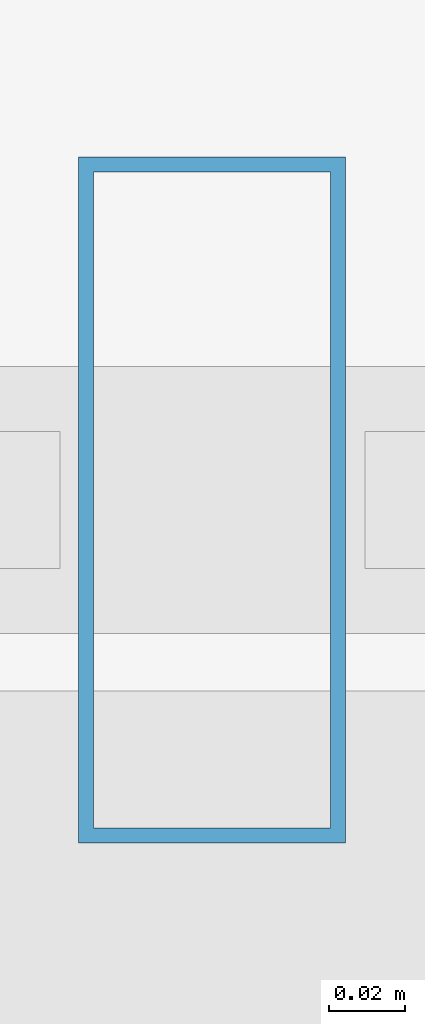
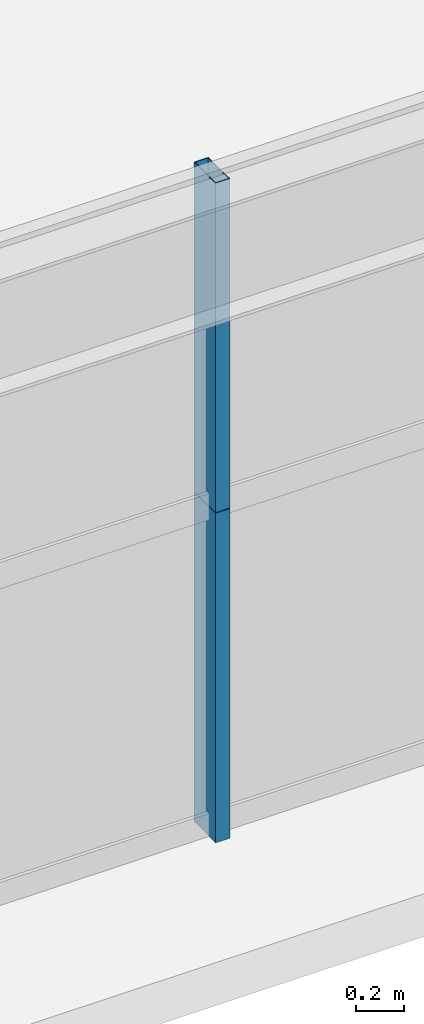
# One storey, part 5 of 43: 2 members, 1 element without a shape of its own.
"""IFC4 building model written with IfcOpenShell, lengths in metres."""

import ifcopenshell
import ifcopenshell.guid

model = None  # the IFC model being written
_history = None  # IfcOwnerHistory: only IFC2X3 demands one
_inside = {}  # id of a spatial element -> (the spatial element, [elements in it])
_under = {}  # id of a project, library or spatial element -> (it, [spatial elements below it])
_declared = {}  # id of a project -> (the project, [libraries it declares])
_typed = {}  # id of a type object -> (the type object, [elements of that type])
_made_of = {}  # id of a material, layer set ... -> (it, [elements and type objects made of it])


def new_model(schema):
    """Start an empty IFC model of exactly this schema.

    Asked for "IFC4X3", IfcOpenShell would pick the latest addendum, in which some entities
    have other attributes; the version numbers below select the first issue.
    IFC2X3 requires an IfcOwnerHistory on every rooted entity: one is made here for all.
    """
    global model, _history
    if schema == "IFC4X3":
        model = ifcopenshell.file(schema_version=(4, 3, 0, 0))
    else:
        model = ifcopenshell.file(schema=schema)
    _inside.clear()
    _under.clear()
    _declared.clear()
    _typed.clear()
    _made_of.clear()
    _history = None
    if model.schema == "IFC2X3":
        org = make("IfcOrganization", Name="unknown")
        user = make(
            "IfcPersonAndOrganization",
            ThePerson=make("IfcPerson", FamilyName="unknown"),
            TheOrganization=org,
        )
        app = make(
            "IfcApplication",
            ApplicationDeveloper=org,
            Version="unknown",
            ApplicationFullName="unknown",
            ApplicationIdentifier="unknown",
        )
        _history = make(
            "IfcOwnerHistory",
            OwningUser=user,
            OwningApplication=app,
            ChangeAction="ADDED",
            CreationDate=0,
        )
    return model


def make(cls, **values):
    """One entity of the class cls with the attributes given. An attribute that is None is left unset."""
    return model.create_entity(
        cls, **{name: value for name, value in values.items() if value is not None}
    )


def rooted(cls, **values):
    """An entity with a GlobalId (a new one), such as an element, a storey or a relation."""
    return make(cls, GlobalId=ifcopenshell.guid.new(), OwnerHistory=_history, **values)


def si_unit(unit_type, name, prefix=None):
    """IfcSIUnit, for example si_unit("LENGTHUNIT", "METRE", prefix="MILLI")."""
    return make("IfcSIUnit", UnitType=unit_type, Prefix=prefix, Name=name)


def assignment(units):
    """IfcUnitAssignment: the units of a project."""
    return None if units is None else make("IfcUnitAssignment", Units=units)


def point(xyz):
    """IfcCartesianPoint."""
    return None if xyz is None else make("IfcCartesianPoint", Coordinates=xyz)


def direction(xyz):
    """IfcDirection."""
    return None if xyz is None else make("IfcDirection", DirectionRatios=xyz)


def frame(location, z_axis=None, x_axis=None):
    """IfcAxis2Placement3D, a coordinate frame: its origin and axes. An axis left out is left unset."""
    return make(
        "IfcAxis2Placement3D",
        Location=point(location),
        Axis=direction(z_axis),
        RefDirection=direction(x_axis),
    )


def frame_2d(location, x_axis=None):
    """IfcAxis2Placement2D, a coordinate frame in the plane: its origin and x axis."""
    return make(
        "IfcAxis2Placement2D", Location=point(location), RefDirection=direction(x_axis)
    )


def origin():
    """The frame at (0, 0, 0) with its axes left unset."""
    return frame((0.0, 0.0, 0.0))


def origin_2d():
    """The frame at (0, 0) in the plane with its x axis left unset."""
    return frame_2d((0.0, 0.0))


def place(relative_to, where):
    """IfcLocalPlacement: puts the frame where relative to a parent placement (None: the world)."""
    return make(
        "IfcLocalPlacement", PlacementRelTo=relative_to, RelativePlacement=where
    )


def context(
    kind, dimensions, precision=None, world=None, true_north=None, identifier=None
):
    """IfcGeometricRepresentationContext, for example the 3D "Model" context."""
    return make(
        "IfcGeometricRepresentationContext",
        ContextIdentifier=identifier,
        ContextType=kind,
        CoordinateSpaceDimension=dimensions,
        Precision=precision,
        WorldCoordinateSystem=world,
        TrueNorth=true_north,
    )


def subcontext(parent, identifier, kind, view, scale=None):
    """IfcGeometricRepresentationSubContext, for example "Body" below "Model"."""
    return make(
        "IfcGeometricRepresentationSubContext",
        ContextIdentifier=identifier,
        ContextType=kind,
        ParentContext=parent,
        TargetScale=scale,
        TargetView=view,
    )


def project(units=None, contexts=None):
    """IfcProject with its units and contexts."""
    return rooted(
        "IfcProject",
        Name="project",
        RepresentationContexts=contexts,
        UnitsInContext=assignment(units),
    )


def spatial(cls, under=None, at=None, **own):
    """A site, building, storey or space (cls), placed at a placement, below another one or the project."""
    s = rooted(cls, ObjectPlacement=at, **own)
    if under is not None:
        _under.setdefault(under.id(), (under, []))[1].append(s)
    return s


def profile(cls, at=None, kind="AREA", **sizes):
    """A parametric profile (cls). Its sizes go by their IFC names, for example OverallWidth=200.0."""
    return make(cls, ProfileType=kind, Position=at, **sizes)


def hollow_rectangle(**sizes):
    """IfcRectangleHollowProfileDef."""
    return profile("IfcRectangleHollowProfileDef", **sizes)


def extrude(swept, where, along, depth):
    """IfcExtrudedAreaSolid: the profile swept, set in the frame where, extruded along a direction by depth."""
    return make(
        "IfcExtrudedAreaSolid",
        SweptArea=swept,
        Position=where,
        ExtrudedDirection=direction(along),
        Depth=depth,
    )


def shape(context_of_items, identifier, shape_type, items):
    """IfcShapeRepresentation: the items that make up one representation, for example the "Body"."""
    return make(
        "IfcShapeRepresentation",
        ContextOfItems=context_of_items,
        RepresentationIdentifier=identifier,
        RepresentationType=shape_type,
        Items=items,
    )


def source(mapping_origin, context_of_items, identifier, shape_type, items):
    """IfcRepresentationMap: a shape defined once, which mapped items show again and again."""
    return make(
        "IfcRepresentationMap",
        MappingOrigin=mapping_origin,
        MappedRepresentation=shape(context_of_items, identifier, shape_type, items),
    )


def transform(
    local_origin,
    x_axis=None,
    y_axis=None,
    z_axis=None,
    scale=None,
    scale2=None,
    scale3=None,
    uniform=True,
):
    """IfcCartesianTransformationOperator3D, or its non-uniform kind. x_axis, y_axis, z_axis: its Axis1, 2, 3."""
    if uniform:
        return make(
            "IfcCartesianTransformationOperator3D",
            Axis1=direction(x_axis),
            Axis2=direction(y_axis),
            LocalOrigin=point(local_origin),
            Scale=scale,
            Axis3=direction(z_axis),
        )
    return make(
        "IfcCartesianTransformationOperator3DnonUniform",
        Axis1=direction(x_axis),
        Axis2=direction(y_axis),
        LocalOrigin=point(local_origin),
        Scale=scale,
        Axis3=direction(z_axis),
        Scale2=scale2,
        Scale3=scale3,
    )


def mapped(mapping_source, mapping_target):
    """IfcMappedItem: shows the shape of a source again, moved by a transform."""
    return make(
        "IfcMappedItem", MappingSource=mapping_source, MappingTarget=mapping_target
    )


def material(Name=None, Category=None):
    """IfcMaterial."""
    return make("IfcMaterial", Name=Name, Category=Category)


def layer(
    of_material, thickness, ventilated=None, Name=None, Category=None, Priority=None
):
    """IfcMaterialLayer: one layer of a wall or slab, of a material (None: an air gap)."""
    return make(
        "IfcMaterialLayer",
        Material=of_material,
        LayerThickness=thickness,
        IsVentilated=ventilated,
        Name=Name,
        Category=Category,
        Priority=Priority,
    )


def layer_set(layers, Name=None):
    """IfcMaterialLayerSet."""
    return make("IfcMaterialLayerSet", MaterialLayers=layers, LayerSetName=Name)


def material_profile(
    of_material, cross_section, Name=None, Category=None, Priority=None
):
    """IfcMaterialProfile: a cross section and its material."""
    return make(
        "IfcMaterialProfile",
        Name=Name,
        Material=of_material,
        Profile=cross_section,
        Priority=Priority,
        Category=Category,
    )


def profile_set(profiles, Name=None, composite=None):
    """IfcMaterialProfileSet."""
    return make(
        "IfcMaterialProfileSet",
        Name=Name,
        MaterialProfiles=profiles,
        CompositeProfile=composite,
    )


def made_of(thing, what):
    """Note that an element or type object is made of a material, layer set ...; save() writes the relation."""
    if what is not None:
        _made_of.setdefault(what.id(), (what, []))[1].append(thing)
    return thing


def type_object(cls, material=None, **own):
    """A type object (cls), such as IfcWallType, which elements share."""
    return made_of(rooted(cls, **own), material)


def element(
    cls,
    number,
    at=None,
    inside=None,
    cuts=None,
    type_object=None,
    material=None,
    context=None,
    identifier="Body",
    shape_type=None,
    held_by="IfcProductDefinitionShape",
    body=None,
    shapes=None,
    **own,
):
    """One element of the class cls, such as IfcWall. Its Tag is "e" and its number.

    at: its placement. inside: the storey or other place that contains it. cuts: it is an
    opening in that element (IfcRelVoidsElement). A single representation is given by context,
    identifier, shape_type and body (its items); several are given by shapes. held_by: the class
    of the entity that holds the representations. save() writes the other relations.
    """
    e = rooted(cls, Tag="e%d" % number, ObjectPlacement=at, **own)
    if body is not None:
        shapes = [shape(context, identifier, shape_type, body)]
    if shapes is not None:
        e.Representation = make(held_by, Representations=shapes)
    if inside is not None:
        _inside.setdefault(inside.id(), (inside, []))[1].append(e)
    if cuts is not None:
        rooted(
            "IfcRelVoidsElement", RelatingBuildingElement=cuts, RelatedOpeningElement=e
        )
    if type_object is not None:
        _typed.setdefault(type_object.id(), (type_object, []))[1].append(e)
    return made_of(e, material)


def aggregate(whole, parts):
    """IfcRelAggregates: a whole, such as a stair, and the parts it consists of."""
    return rooted("IfcRelAggregates", RelatingObject=whole, RelatedObjects=parts)


def save(model, path):
    """Write the relations noted so far, then the file.

    IfcRelAggregates (storeys below a building ...), IfcRelContainedInSpatialStructure (elements
    in a storey), IfcRelDefinesByType, IfcRelAssociatesMaterial and IfcRelDeclares: one each for
    every whole, place, type object, material and project.
    """
    for whole, parts in _under.values():
        aggregate(whole, parts)
    for where, things in _inside.values():
        rooted(
            "IfcRelContainedInSpatialStructure",
            RelatedElements=things,
            RelatingStructure=where,
        )
    for kind, things in _typed.values():
        rooted("IfcRelDefinesByType", RelatedObjects=things, RelatingType=kind)
    for what, things in _made_of.values():
        rooted("IfcRelAssociatesMaterial", RelatedObjects=things, RelatingMaterial=what)
    for by, libraries in _declared.values():
        rooted("IfcRelDeclares", RelatingContext=by, RelatedDefinitions=libraries)
    model.write(path)


model = new_model("IFC4")

# Units and contexts
model_context = context("Model", 3, precision=1e-05, world=origin(), true_north=direction((0.0, 1.0)))
body_context = subcontext(model_context, "Body", "Model", "MODEL_VIEW")
ifc_project = project(units=[si_unit("LENGTHUNIT", "METRE"), si_unit("AREAUNIT", "SQUARE_METRE"), si_unit("VOLUMEUNIT", "CUBIC_METRE"), si_unit("PLANEANGLEUNIT", "RADIAN"), si_unit("MASSUNIT", "GRAM", prefix="KILO"), si_unit("THERMODYNAMICTEMPERATUREUNIT", "KELVIN"), si_unit("POWERUNIT", "WATT")], contexts=[model_context])

# Site, building, storey
site_placement = place(None, origin())
site = spatial("IfcSite", under=ifc_project, at=site_placement, CompositionType="ELEMENT")
building_placement = place(site_placement, origin())
building = spatial("IfcBuilding", under=site, at=building_placement, Name="Yuzanri Waterfront Tower", CompositionType="ELEMENT")
storey_placement = place(building_placement, frame((0.0, 0.0, 53.199951171875)))
storey = spatial("IfcBuildingStorey", under=building, at=storey_placement, Name="L13", CompositionType="ELEMENT", Elevation=53.199951171875)

# Curtain wall, members
ifc_material_1 = material(Name="Anodized Architectural Bronze", Category="metal")
ifc_layer = layer(ifc_material_1, 0.159912109375)
ifc_layer_set = layer_set([ifc_layer], Name="Anodized Architectural Bronze")
curtain_wall_type = type_object("IfcCurtainWallType", Name="Anodized Bronze Hotel Lower-Tier Recessed Unitized Curtain Wall 8100", PredefinedType="NOTDEFINED", material=ifc_layer_set)
curtain_wall_placement = place(storey_placement, origin())
curtain_wall = element("IfcCurtainWall", 1, at=curtain_wall_placement, inside=storey, type_object=curtain_wall_type, Name="L13 Curtain Wall CW-L13-SL", PredefinedType="NOTDEFINED")
ifc_material_2 = material(Name="Anodized Architectural Bronze", Category="metal")
ifc_material_profile = material_profile(ifc_material_2, hollow_rectangle(XDim=0.070068359375, YDim=0.179931640625, WallThickness=0.00390625, at=origin_2d()), Name="CWM 70x180")
ifc_profile_set = profile_set([ifc_material_profile], Name="Anodized Architectural Bronze")
member_type = type_object("IfcMemberType", Name="Anodized Bronze Standard Curtain-Wall Mullion 70x180", PredefinedType="MULLION", material=ifc_profile_set)
shared_shape = source(origin(), body_context, "Body", "SweptSolid", [
    extrude(hollow_rectangle(XDim=0.070068359375, YDim=0.179931640625, WallThickness=0.00390625, at=origin_2d()), origin(), (0.0, 0.0, 1.0), 1.68798828125),
])
member_1_placement = place(storey_placement, frame((27.89990234375, 0.85009765625, 0.0), z_axis=(0.0, 0.0, 1.0), x_axis=(1.0, 0.0, 0.0)))
member_1 = element("IfcMember", 2, at=member_1_placement, type_object=member_type, Name="CW-L13-SL Lower Mullion 01", PredefinedType="MULLION", context=body_context, shape_type="MappedRepresentation", body=[
    mapped(shared_shape, transform((0.0, 0.0, 0.0), scale=1.0)),
])
member_2_placement = place(storey_placement, frame((27.89990234375, 0.85009765625, 1.692138671875), z_axis=(0.0, 0.0, 1.0), x_axis=(1.0, 0.0, 0.0)))
member_2 = element("IfcMember", 3, at=member_2_placement, type_object=member_type, Name="CW-L13-SL Upper Mullion 01", PredefinedType="MULLION", context=body_context, shape_type="MappedRepresentation", body=[
    mapped(shared_shape, transform((0.0, 0.0, 0.0), scale=1.0)),
])
aggregate(curtain_wall, [member_1, member_2])

save(model, "model.ifc")
